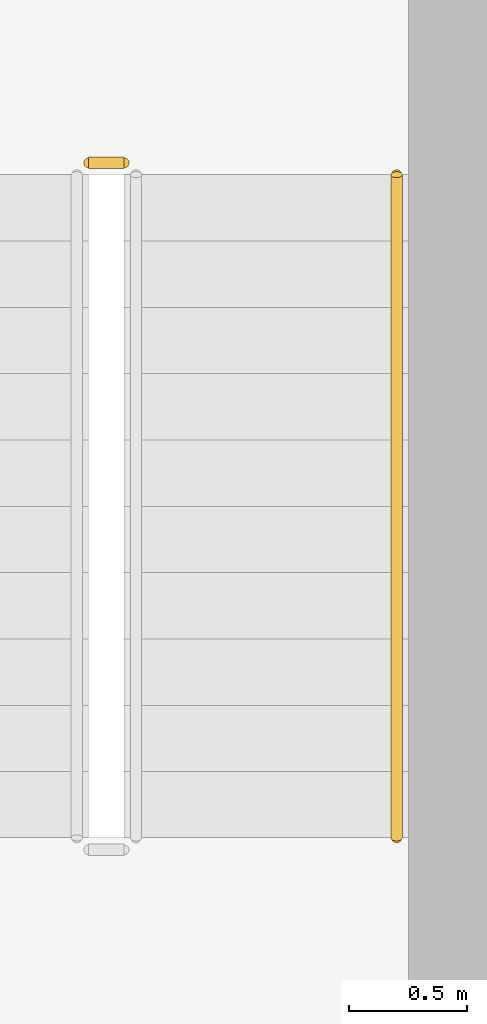
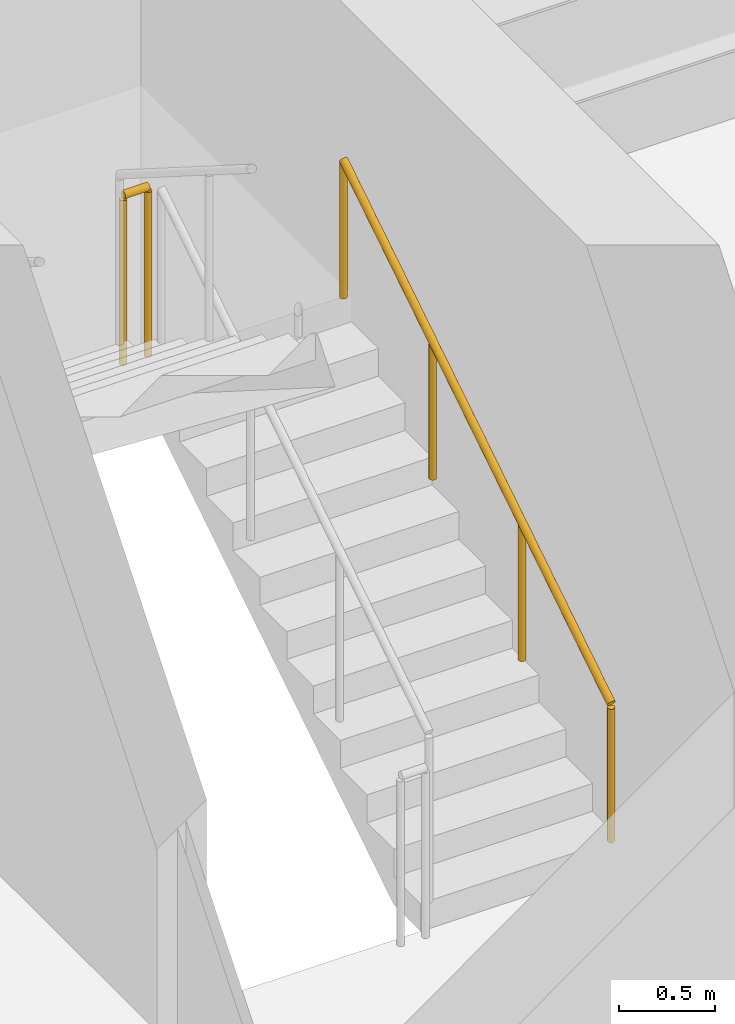
# One storey, part 8 of 8: 2 railings.
"""IFC4 building model written with IfcOpenShell, lengths in metres."""

from ifc_helpers import new_model, si_unit, direction, frame, origin, origin_2d, place, context, subcontext, project, spatial, circle, extrude, material, type_object, element, save


model = new_model("IFC4")

# Units and contexts
model_context = context("Model", 3, precision=1e-05, world=origin(), true_north=direction((0.0, 1.0)))
body_context = subcontext(model_context, "Body", "Model", "MODEL_VIEW")
ifc_project = project(units=[si_unit("LENGTHUNIT", "METRE"), si_unit("AREAUNIT", "SQUARE_METRE"), si_unit("VOLUMEUNIT", "CUBIC_METRE"), si_unit("PLANEANGLEUNIT", "RADIAN"), si_unit("MASSUNIT", "GRAM", prefix="KILO")], contexts=[model_context])

# Site, building, storey
site_placement = place(None, origin())
site = spatial("IfcSite", under=ifc_project, at=site_placement, CompositionType="ELEMENT")
building_placement = place(site_placement, origin())
building = spatial("IfcBuilding", under=site, at=building_placement, Name="Aloe Facet Convention Tower", CompositionType="ELEMENT")
storey_placement = place(building_placement, frame((0.0, 0.0, 140.300048828125)))
storey = spatial("IfcBuildingStorey", under=building, at=storey_placement, Name="L35", CompositionType="ELEMENT", Elevation=140.300048828125)

# Railings
ifc_material_1 = material(Name="Steel S355 balustrade", Category="steel")
railing_type_1 = type_object("IfcRailingType", Name="CR-RL-GUARD", PredefinedType="GUARDRAIL", material=ifc_material_1)
railing_1_placement = place(storey_placement, frame((89.199951171875, 131.800048828125, 1.949951171875)))
element("IfcRailing", 1, at=railing_1_placement, inside=storey, type_object=railing_type_1, Name="L35 ST2 stair guard 2", PredefinedType="GUARDRAIL", context=body_context, shape_type="SweptSolid", body=[
    extrude(circle(Radius=0.02392578125, at=origin_2d()), frame((0.0, 0.0, 1.076171875), z_axis=(-1.0, 0.0, 0.0), x_axis=(0.0, -1.0, 0.0)), (0.0, 0.0, 1.0), 0.14990234375),
    extrude(circle(Radius=0.02099609375, at=origin_2d()), origin(), (0.0, 0.0, 1.0), 1.052001953125),
    extrude(circle(Radius=0.02099609375, at=origin_2d()), frame((-0.14990234375, 0.0, 0.0)), (0.0, 0.0, 1.0), 1.052001953125),
])
ifc_material_2 = material(Name="Steel S355 handrail", Category="steel")
railing_type_2 = type_object("IfcRailingType", Name="CR-RL-HAND", PredefinedType="HANDRAIL", material=ifc_material_2)
railing_2_placement = place(storey_placement, frame((90.35009765625, 128.949951171875, 0.17724609375)))
element("IfcRailing", 2, at=railing_2_placement, inside=storey, type_object=railing_type_2, Name="L35 ST2 stair handrail 1", PredefinedType="HANDRAIL", context=body_context, shape_type="SweptSolid", body=[
    extrude(circle(Radius=0.02392578125, at=origin_2d()), frame((0.0, 0.0, 0.8759765625), z_axis=(0.0, 0.844908973607, 0.534910110503), x_axis=(-1.0, 0.0, 0.0)), (0.0, 0.0, 1.0), 3.31396484375),
    extrude(circle(Radius=0.02099609375, at=origin_2d()), origin(), (0.0, 0.0, 1.0), 0.851806640625),
    extrude(circle(Radius=0.02099609375, at=origin_2d()), frame((0.0, 0.933349609375, 0.5908203125)), (0.0, 0.0, 1.0), 0.851806640625),
    extrude(circle(Radius=0.02099609375, at=origin_2d()), frame((0.0, 1.86669921875, 1.181884765625)), (0.0, 0.0, 1.0), 0.851806640625),
    extrude(circle(Radius=0.02099609375, at=origin_2d()), frame((0.0, 2.800048828125, 1.772705078125)), (0.0, 0.0, 1.0), 0.851806640625),
])

save(model, "model.ifc")
